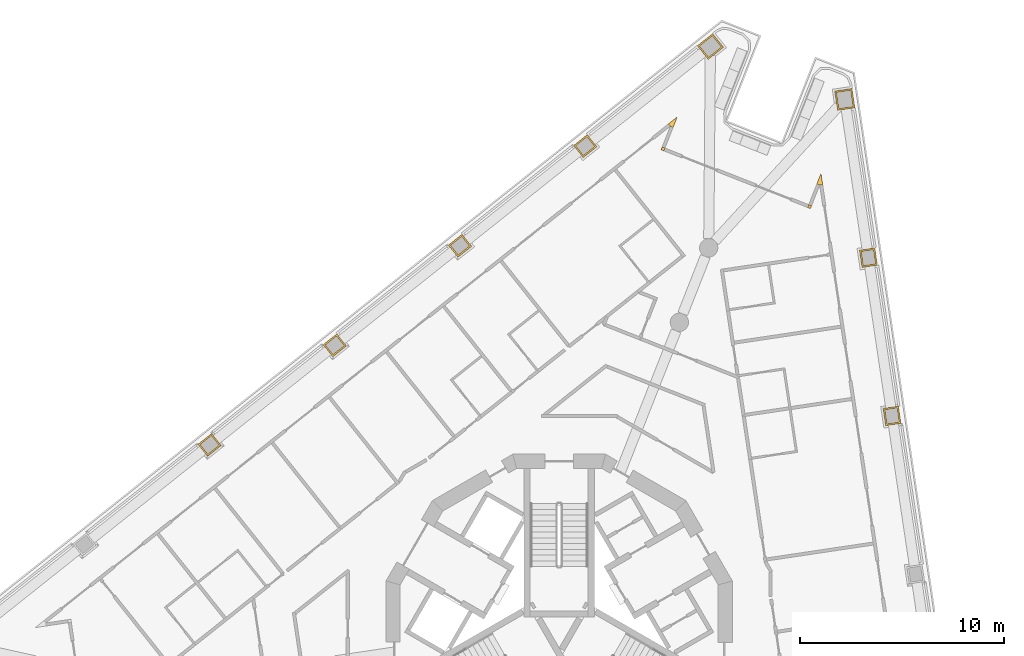
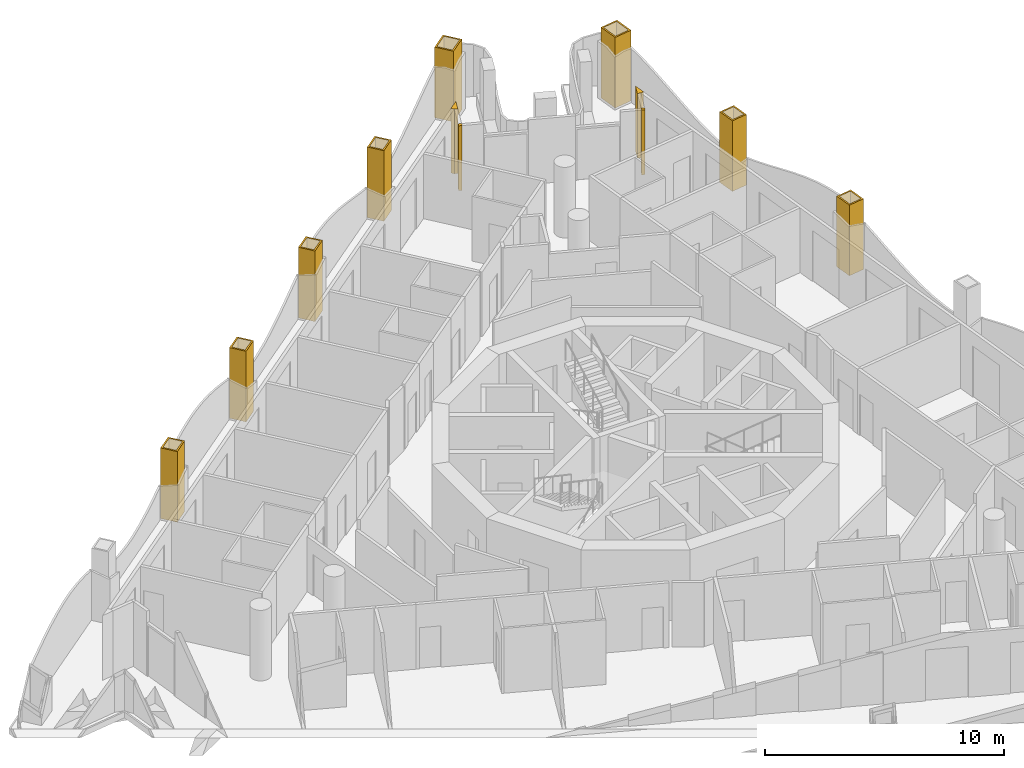
# One storey, part 15 of 16: 12 coverings.
"""IFC4 building model written with IfcOpenShell, lengths in metres."""

from ifc_helpers import new_model, si_unit, direction, frame, origin, place, context, subcontext, project, spatial, polyline, outline, extrude, material, layer, layer_set, type_object, element, save


model = new_model("IFC4")

# Units and contexts
model_context = context("Model", 3, precision=1e-05, world=origin(), true_north=direction((0.0, 1.0)))
body_context = subcontext(model_context, "Body", "Model", "MODEL_VIEW")
ifc_project = project(units=[si_unit("LENGTHUNIT", "METRE"), si_unit("AREAUNIT", "SQUARE_METRE"), si_unit("VOLUMEUNIT", "CUBIC_METRE"), si_unit("PLANEANGLEUNIT", "RADIAN"), si_unit("MASSUNIT", "GRAM", prefix="KILO")], contexts=[model_context])

# Site, building, storey
site_placement = place(None, origin())
site = spatial("IfcSite", under=ifc_project, at=site_placement, CompositionType="ELEMENT")
building_placement = place(site_placement, origin())
building = spatial("IfcBuilding", under=site, at=building_placement, Name="Trine Commons Tower", CompositionType="ELEMENT")
storey_placement = place(building_placement, frame((0.0, 0.0, 205.199951171875)))
storey = spatial("IfcBuildingStorey", under=building, at=storey_placement, Name="L53", CompositionType="ELEMENT", Elevation=205.199951171875)

# Coverings
ifc_material_1 = material(Name="Aluminium-framed insulated wall panel", Category="aluminium")
ifc_layer_1 = layer(ifc_material_1, 0.14990234375)
ifc_layer_set_1 = layer_set([ifc_layer_1], Name="Aluminium-framed insulated wall panel")
covering_type_1 = type_object("IfcCoveringType", Name="Glazing corner post, aluminium", PredefinedType="CLADDING", material=ifc_layer_set_1)
covering_1_placement = place(storey_placement, origin())
element("IfcCovering", 1, at=covering_1_placement, inside=storey, type_object=covering_type_1, Name="Glazing corner post 6-02", PredefinedType="CLADDING", context=body_context, shape_type="SweptSolid", body=[
    extrude(outline(polyline([(85.451416015625, 87.089599609375), (85.451416015625, 87.089599609375), (85.591064453125, 87.03466796875), (85.796142578125, 87.5556640625), (85.358154296875, 87.20703125), (85.451416015625, 87.089599609375)])), origin(), (0.0, 0.0, 1.0), 3.300048828125),
])
covering_2_placement = place(storey_placement, origin())
element("IfcCovering", 2, at=covering_2_placement, inside=storey, type_object=covering_type_1, Name="Glazing corner post 6-03", PredefinedType="CLADDING", context=body_context, shape_type="SweptSolid", body=[
    extrude(outline(polyline([(85.13818359375, 85.885009765625), (85.193115234375, 86.0244140625), (85.0537109375, 86.07958984375), (84.99853515625, 85.93994140625), (85.13818359375, 85.885009765625)])), origin(), (0.0, 0.0, 1.0), 3.300048828125),
])
covering_3_placement = place(storey_placement, origin())
element("IfcCovering", 3, at=covering_3_placement, inside=storey, type_object=covering_type_1, Name="Glazing corner post 6-04", PredefinedType="CLADDING", context=body_context, shape_type="SweptSolid", body=[
    extrude(outline(polyline([(92.190673828125, 83.10693359375), (92.330322265625, 83.052001953125), (92.38525390625, 83.19140625), (92.24560546875, 83.246337890625), (92.190673828125, 83.10693359375)])), origin(), (0.0, 0.0, 1.0), 3.300048828125),
])
covering_4_placement = place(storey_placement, origin())
element("IfcCovering", 4, at=covering_4_placement, inside=storey, type_object=covering_type_1, Name="Glazing corner post 6-05", PredefinedType="CLADDING", context=body_context, shape_type="SweptSolid", body=[
    extrude(outline(polyline([(92.6435546875, 84.256591796875), (92.783203125, 84.20166015625), (92.931396484375, 84.223876953125), (92.848876953125, 84.777587890625), (92.6435546875, 84.256591796875)])), origin(), (0.0, 0.0, 1.0), 3.300048828125),
])
ifc_material_2 = material(Name="Limestone, honed", Category="masonry")
ifc_layer_2 = layer(ifc_material_2, 0.074951171875)
ifc_layer_set_2 = layer_set([ifc_layer_2], Name="Limestone, honed")
covering_type_2 = type_object("IfcCoveringType", Name="Limestone column cladding 75", PredefinedType="CLADDING", material=ifc_layer_set_2)
covering_5_placement = place(storey_placement, origin())
element("IfcCovering", 5, at=covering_5_placement, inside=storey, type_object=covering_type_2, Name="Limestone pier cladding 6-10", PredefinedType="CLADDING", context=body_context, shape_type="SweptSolid", body=[
    extrude(outline(polyline([(63.40966796875, 71.4287109375), (62.942626953125, 72.015625), (62.27734375, 71.486572265625), (62.744384765625, 70.899658203125), (63.40966796875, 71.4287109375)]), holes=[polyline([(63.30419921875, 71.440673828125), (62.9306640625, 71.910400390625), (62.3828125, 71.474609375), (62.75634765625, 71.0048828125), (63.30419921875, 71.440673828125)])]), origin(), (0.0, 0.0, 1.0), 3.60009765625),
])
covering_6_placement = place(storey_placement, origin())
element("IfcCovering", 6, at=covering_6_placement, inside=storey, type_object=covering_type_2, Name="Limestone pier cladding 6-11", PredefinedType="CLADDING", context=body_context, shape_type="SweptSolid", body=[
    extrude(outline(polyline([(69.553466796875, 76.31591796875), (69.086669921875, 76.902587890625), (68.42138671875, 76.37353515625), (68.88818359375, 75.78662109375), (69.553466796875, 76.31591796875)]), holes=[polyline([(69.447998046875, 76.327880859375), (69.07470703125, 76.79736328125), (68.526611328125, 76.361572265625), (68.900146484375, 75.89208984375), (69.447998046875, 76.327880859375)])]), origin(), (0.0, 0.0, 1.0), 3.60009765625),
])
covering_7_placement = place(storey_placement, origin())
element("IfcCovering", 7, at=covering_7_placement, inside=storey, type_object=covering_type_2, Name="Limestone pier cladding 6-12", PredefinedType="CLADDING", context=body_context, shape_type="SweptSolid", body=[
    extrude(outline(polyline([(75.697509765625, 81.202880859375), (75.230712890625, 81.789794921875), (74.565185546875, 81.2607421875), (75.0322265625, 80.673828125), (75.697509765625, 81.202880859375)]), holes=[polyline([(75.592041015625, 81.21484375), (75.218505859375, 81.6845703125), (74.670654296875, 81.248779296875), (75.044189453125, 80.779052734375), (75.592041015625, 81.21484375)])]), origin(), (0.0, 0.0, 1.0), 3.60009765625),
])
covering_8_placement = place(storey_placement, origin())
element("IfcCovering", 8, at=covering_8_placement, inside=storey, type_object=covering_type_2, Name="Limestone pier cladding 6-13", PredefinedType="CLADDING", context=body_context, shape_type="SweptSolid", body=[
    extrude(outline(polyline([(81.84130859375, 86.090087890625), (81.37451171875, 86.677001953125), (80.709228515625, 86.147705078125), (81.176025390625, 85.560791015625), (81.84130859375, 86.090087890625)]), holes=[polyline([(81.736083984375, 86.10205078125), (81.362548828125, 86.571533203125), (80.814697265625, 86.1357421875), (81.18798828125, 85.666259765625), (81.736083984375, 86.10205078125)])]), origin(), (0.0, 0.0, 1.0), 3.60009765625),
])
covering_9_placement = place(storey_placement, origin())
element("IfcCovering", 9, at=covering_9_placement, inside=storey, type_object=covering_type_2, Name="Limestone pier cladding 6-14", PredefinedType="CLADDING", context=body_context, shape_type="SweptSolid", body=[
    extrude(outline(polyline([(88.0556640625, 90.968994140625), (87.526611328125, 91.63427734375), (86.782958984375, 91.04296875), (87.31201171875, 90.377685546875), (88.0556640625, 90.968994140625)]), holes=[polyline([(87.9501953125, 90.981201171875), (87.514404296875, 91.52880859375), (86.888427734375, 91.031005859375), (87.32421875, 90.483154296875), (87.9501953125, 90.981201171875)])]), origin(), (0.0, 0.0, 1.0), 3.60009765625),
])
covering_10_placement = place(storey_placement, origin())
element("IfcCovering", 10, at=covering_10_placement, inside=storey, type_object=covering_type_2, Name="Limestone pier cladding 6-15", PredefinedType="CLADDING", context=body_context, shape_type="SweptSolid", body=[
    extrude(outline(polyline([(94.364990234375, 88.9404296875), (93.5244140625, 88.81494140625), (93.664794921875, 87.875244140625), (94.505615234375, 88.0009765625), (94.364990234375, 88.9404296875)]), holes=[polyline([(94.302001953125, 88.855224609375), (93.609619140625, 88.751708984375), (93.72802734375, 87.960693359375), (94.42041015625, 88.06396484375), (94.302001953125, 88.855224609375)])]), origin(), (0.0, 0.0, 1.0), 3.60009765625),
])
covering_11_placement = place(storey_placement, origin())
element("IfcCovering", 11, at=covering_11_placement, inside=storey, type_object=covering_type_2, Name="Limestone pier cladding 6-16", PredefinedType="CLADDING", context=body_context, shape_type="SweptSolid", body=[
    extrude(outline(polyline([(95.4833984375, 81.119384765625), (94.74169921875, 81.00830078125), (94.8671875, 80.167724609375), (95.609130859375, 80.278564453125), (95.4833984375, 81.119384765625)]), holes=[polyline([(95.42041015625, 81.033935546875), (94.826904296875, 80.9453125), (94.930419921875, 80.2529296875), (95.523681640625, 80.341796875), (95.42041015625, 81.033935546875)])]), origin(), (0.0, 0.0, 1.0), 3.60009765625),
])
covering_12_placement = place(storey_placement, origin())
element("IfcCovering", 12, at=covering_12_placement, inside=storey, type_object=covering_type_2, Name="Limestone pier cladding 6-17", PredefinedType="CLADDING", context=body_context, shape_type="SweptSolid", body=[
    extrude(outline(polyline([(96.643798828125, 73.35498046875), (95.902099609375, 73.244140625), (96.027587890625, 72.4033203125), (96.769287109375, 72.514404296875), (96.643798828125, 73.35498046875)]), holes=[polyline([(96.580810546875, 73.269775390625), (95.9873046875, 73.180908203125), (96.0908203125, 72.48876953125), (96.68408203125, 72.577392578125), (96.580810546875, 73.269775390625)])]), origin(), (0.0, 0.0, 1.0), 3.60009765625),
])

save(model, "model.ifc")
